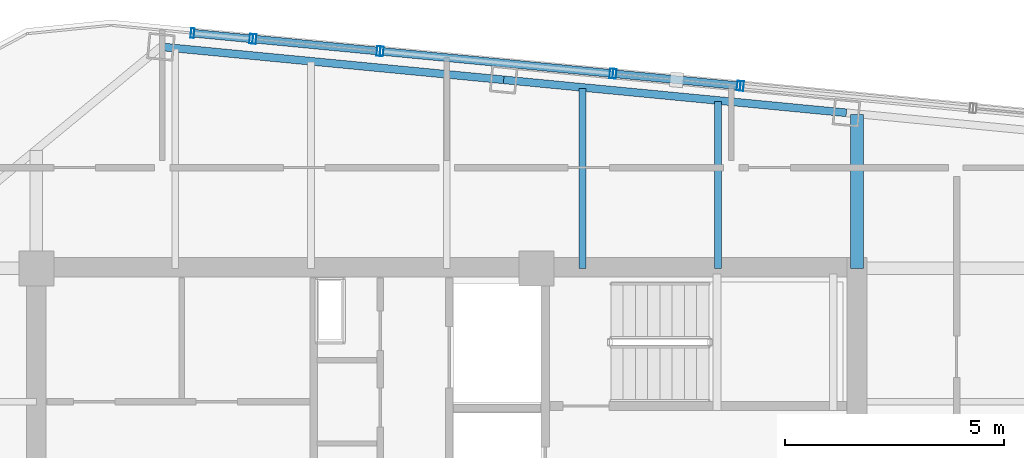
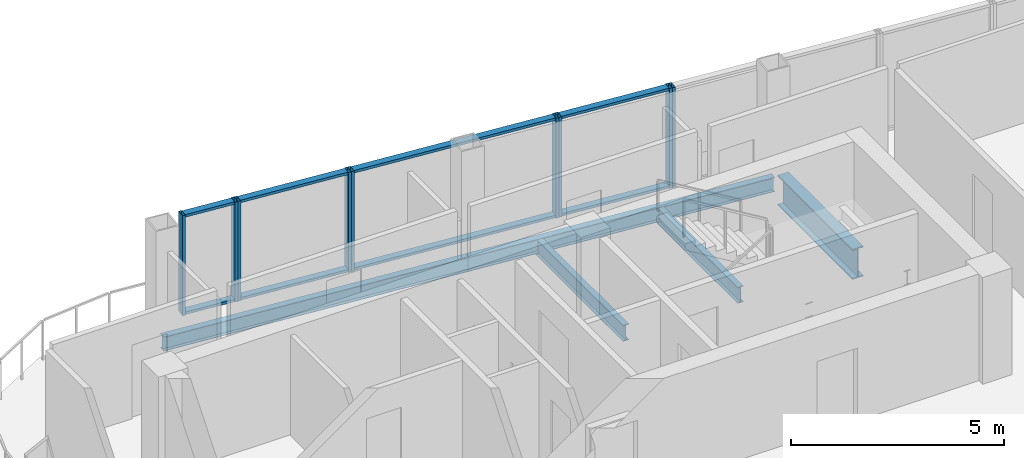
# One storey, part 14 of 23: 17 members, 5 beams, 5 elements without a shape of their own.
"""IFC4 building model written with IfcOpenShell, lengths in metres."""

from ifc_helpers import new_model, si_unit, direction, frame, origin, origin_2d, place, context, subcontext, project, spatial, hollow_rectangle, i_section, extrude, material, layer, layer_set, material_profile, profile_set, type_object, element, aggregate, save


model = new_model("IFC4")

# Units and contexts
model_context = context("Model", 3, precision=1e-05, world=origin(), true_north=direction((0.0, 1.0)))
body_context = subcontext(model_context, "Body", "Model", "MODEL_VIEW")
ifc_project = project(units=[si_unit("LENGTHUNIT", "METRE"), si_unit("AREAUNIT", "SQUARE_METRE"), si_unit("VOLUMEUNIT", "CUBIC_METRE"), si_unit("PLANEANGLEUNIT", "RADIAN"), si_unit("MASSUNIT", "GRAM", prefix="KILO")], contexts=[model_context])

# Site, building, storey
site_placement = place(None, origin())
site = spatial("IfcSite", under=ifc_project, at=site_placement, CompositionType="ELEMENT")
building_placement = place(site_placement, origin())
building = spatial("IfcBuilding", under=site, at=building_placement, Name="Qhalaya Broadcast Tower", CompositionType="ELEMENT")
storey_placement = place(building_placement, frame((0.0, 0.0, 261.14990234375)))
storey = spatial("IfcBuildingStorey", under=building, at=storey_placement, Name="L77", CompositionType="ELEMENT", Elevation=261.14990234375)

# Beams
ifc_material_1 = material(Name="Structural Steel ASTM A992 Grade 50", Category="steel")
ifc_material_profile_1 = material_profile(ifc_material_1, i_section(OverallWidth=0.154052734375, OverallDepth=0.458984375, WebThickness=0.009033203125, FlangeThickness=0.015380859375, at=origin_2d()), Name="W18X46")
ifc_profile_set_1 = profile_set([ifc_material_profile_1], Name="Structural Steel ASTM A992 Grade 50")
beam_type_1 = type_object("IfcBeamType", Name="Composite Floor Joist J04", PredefinedType="JOIST", material=ifc_profile_set_1)
beam_1_placement = place(storey_placement, frame((3.10009765625, 9.949951171875, -0.41943359375), z_axis=(0.0, 1.0, 0.0), x_axis=(-1.0, 0.0, 0.0)))
element("IfcBeam", 1, at=beam_1_placement, inside=storey, type_object=beam_type_1, Name="L77 J04 L77-JNN4-1", PredefinedType="JOIST", context=body_context, shape_type="SweptSolid", body=[
    extrude(i_section(OverallWidth=0.154052734375, OverallDepth=0.458984375, WebThickness=0.009033203125, FlangeThickness=0.015380859375, at=origin_2d()), origin(), (0.0, 0.0, 1.0), 4.11328125),
])
beam_2_placement = place(storey_placement, frame((6.199951171875, 9.949951171875, -0.41943359375), z_axis=(0.0, 1.0, 0.0), x_axis=(-1.0, 0.0, 0.0)))
element("IfcBeam", 2, at=beam_2_placement, inside=storey, type_object=beam_type_1, Name="L77 J04 L77-JNN5-1", PredefinedType="JOIST", context=body_context, shape_type="SweptSolid", body=[
    extrude(i_section(OverallWidth=0.154052734375, OverallDepth=0.458984375, WebThickness=0.009033203125, FlangeThickness=0.015380859375, at=origin_2d()), origin(), (0.0, 0.0, 1.0), 3.814697265625),
])

# Curtain wall, member
ifc_material_2 = material(Name="Fired Architectural Terracotta", Category="masonry")
ifc_layer_1 = layer(ifc_material_2, 0.219970703125, Name="Fired Architectural Terracotta")
ifc_layer_set_1 = layer_set([ifc_layer_1], Name="Fired Architectural Terracotta")
curtain_wall_type_1 = type_object("IfcCurtainWallType", Name="Block-Cap Unitised Terracotta Spandrel Wall CW-07", PredefinedType="NOTDEFINED", material=ifc_layer_set_1)
curtain_wall_1_placement = place(storey_placement, origin())
curtain_wall_1 = element("IfcCurtainWall", 3, at=curtain_wall_1_placement, inside=storey, type_object=curtain_wall_type_1, Name="L77 Unitised Curtain Wall L77-CW-N3", PredefinedType="NOTDEFINED")
ifc_material_3 = material(Name="Anodised Aluminium 6063-T6", Category="aluminium")
ifc_material_profile_2 = material_profile(ifc_material_3, hollow_rectangle(XDim=0.074951171875, YDim=0.219970703125, WallThickness=0.00390625, at=origin_2d()), Name="ALU-MUL 75x220x4")
ifc_profile_set_2 = profile_set([ifc_material_profile_2], Name="Anodised Aluminium 6063-T6")
member_type_1 = type_object("IfcMemberType", Name="Unitised Curtain-Wall Mullion M01", PredefinedType="MULLION", material=ifc_profile_set_2)
member_1_placement = place(storey_placement, frame((6.746337890625, 14.114013671875, 0.0), z_axis=(0.0, 0.0, 1.0), x_axis=(-0.995396263968, 0.095845071223, 0.0)))
member_1 = element("IfcMember", 4, at=member_1_placement, type_object=member_type_1, Name="CW-07 mullion 2", PredefinedType="MULLION", context=body_context, shape_type="SweptSolid", body=[
    extrude(hollow_rectangle(XDim=0.074951171875, YDim=0.219970703125, WallThickness=0.00390625, at=origin_2d()), origin(), (0.0, 0.0, 1.0), 2.860107421875),
])
aggregate(curtain_wall_1, [member_1])

# Curtain wall, members
ifc_material_4 = material(Name="Solar-Control Low-E Triple Glazing", Category="glass")
ifc_layer_2 = layer(ifc_material_4, 0.219970703125, Name="Solar-Control Low-E Triple Glazing")
ifc_layer_set_2 = layer_set([ifc_layer_2], Name="Solar-Control Low-E Triple Glazing")
curtain_wall_type_2 = type_object("IfcCurtainWallType", Name="High-Altitude Upper-Shaft Triple Low-E Curtain Wall CW-04", PredefinedType="NOTDEFINED", material=ifc_layer_set_2)
curtain_wall_2_placement = place(storey_placement, origin())
curtain_wall_2 = element("IfcCurtainWall", 5, at=curtain_wall_2_placement, inside=storey, type_object=curtain_wall_type_2, Name="L77 Unitised Curtain Wall L77-CW-N4", PredefinedType="NOTDEFINED")
member_2_placement = place(storey_placement, frame((6.671630859375, 14.12109375, 0.0), z_axis=(0.0, 0.0, 1.0), x_axis=(-0.995397805992, 0.095829055234, 0.0)))
member_2 = element("IfcMember", 6, at=member_2_placement, type_object=member_type_1, Name="CW-04 mullion 1", PredefinedType="MULLION", context=body_context, shape_type="SweptSolid", body=[
    extrude(hollow_rectangle(XDim=0.074951171875, YDim=0.219970703125, WallThickness=0.00390625, at=origin_2d()), origin(), (0.0, 0.0, 1.0), 2.860107421875),
])
member_3_placement = place(storey_placement, frame((3.8359375, 14.394287109375, 0.0), z_axis=(0.0, 0.0, 1.0), x_axis=(-0.995397805992, 0.095829055234, 0.0)))
member_3 = element("IfcMember", 7, at=member_3_placement, type_object=member_type_1, Name="CW-04 mullion 2", PredefinedType="MULLION", context=body_context, shape_type="SweptSolid", body=[
    extrude(hollow_rectangle(XDim=0.074951171875, YDim=0.219970703125, WallThickness=0.00390625, at=origin_2d()), origin(), (0.0, 0.0, 1.0), 2.860107421875),
])

curtain_wall_3_placement = place(storey_placement, origin())
curtain_wall_3 = element("IfcCurtainWall", 8, at=curtain_wall_3_placement, inside=storey, type_object=curtain_wall_type_1, Name="L77 Unitised Curtain Wall L77-CW-N5", PredefinedType="NOTDEFINED")
member_4_placement = place(storey_placement, frame((3.76123046875, 14.4013671875, 0.0), z_axis=(0.0, 0.0, 1.0), x_axis=(-0.995396263968, 0.095845071223, 0.0)))
member_4 = element("IfcMember", 9, at=member_4_placement, type_object=member_type_1, Name="CW-07 mullion 1", PredefinedType="MULLION", context=body_context, shape_type="SweptSolid", body=[
    extrude(hollow_rectangle(XDim=0.074951171875, YDim=0.219970703125, WallThickness=0.00390625, at=origin_2d()), origin(), (0.0, 0.0, 1.0), 2.860107421875),
])
member_5_placement = place(storey_placement, frame((-1.482666015625, 14.90625, 0.0), z_axis=(0.0, 0.0, 1.0), x_axis=(-0.995396263968, 0.095845071223, 0.0)))
member_5 = element("IfcMember", 10, at=member_5_placement, type_object=member_type_1, Name="CW-07 mullion 2", PredefinedType="MULLION", context=body_context, shape_type="SweptSolid", body=[
    extrude(hollow_rectangle(XDim=0.074951171875, YDim=0.219970703125, WallThickness=0.00390625, at=origin_2d()), origin(), (0.0, 0.0, 1.0), 2.860107421875),
])

curtain_wall_4_placement = place(storey_placement, origin())
curtain_wall_4 = element("IfcCurtainWall", 11, at=curtain_wall_4_placement, inside=storey, type_object=curtain_wall_type_2, Name="L77 Unitised Curtain Wall L77-CW-N6", PredefinedType="NOTDEFINED")
member_6_placement = place(storey_placement, frame((-1.55712890625, 14.91357421875, 0.0), z_axis=(0.0, 0.0, 1.0), x_axis=(-0.995394978082, 0.095858424822, 0.0)))
member_6 = element("IfcMember", 12, at=member_6_placement, type_object=member_type_1, Name="CW-04 mullion 1", PredefinedType="MULLION", context=body_context, shape_type="SweptSolid", body=[
    extrude(hollow_rectangle(XDim=0.074951171875, YDim=0.219970703125, WallThickness=0.00390625, at=origin_2d()), origin(), (0.0, 0.0, 1.0), 2.860107421875),
])
member_7_placement = place(storey_placement, frame((-4.39208984375, 15.1865234375, 0.0), z_axis=(0.0, 0.0, 1.0), x_axis=(-0.995394978082, 0.095858424822, 0.0)))
member_7 = element("IfcMember", 13, at=member_7_placement, type_object=member_type_1, Name="CW-04 mullion 2", PredefinedType="MULLION", context=body_context, shape_type="SweptSolid", body=[
    extrude(hollow_rectangle(XDim=0.074951171875, YDim=0.219970703125, WallThickness=0.00390625, at=origin_2d()), origin(), (0.0, 0.0, 1.0), 2.860107421875),
])

curtain_wall_5_placement = place(storey_placement, origin())
curtain_wall_5 = element("IfcCurtainWall", 14, at=curtain_wall_5_placement, inside=storey, type_object=curtain_wall_type_1, Name="L77 Unitised Curtain Wall L77-CW-N7", PredefinedType="NOTDEFINED")
member_8_placement = place(storey_placement, frame((-4.466796875, 15.193603515625, 0.0), z_axis=(0.0, 0.0, 1.0), x_axis=(-0.995395360914, 0.095854449411, 0.0)))
member_8 = element("IfcMember", 15, at=member_8_placement, type_object=member_type_1, Name="CW-07 mullion 1", PredefinedType="MULLION", context=body_context, shape_type="SweptSolid", body=[
    extrude(hollow_rectangle(XDim=0.074951171875, YDim=0.219970703125, WallThickness=0.00390625, at=origin_2d()), origin(), (0.0, 0.0, 1.0), 2.860107421875),
])
member_9_placement = place(storey_placement, frame((-5.8076171875, 15.32275390625, 0.0), z_axis=(0.0, 0.0, 1.0), x_axis=(-0.995395360914, 0.095854449411, 0.0)))
member_9 = element("IfcMember", 16, at=member_9_placement, type_object=member_type_1, Name="CW-07 mullion 2", PredefinedType="MULLION", context=body_context, shape_type="SweptSolid", body=[
    extrude(hollow_rectangle(XDim=0.074951171875, YDim=0.219970703125, WallThickness=0.00390625, at=origin_2d()), origin(), (0.0, 0.0, 1.0), 2.860107421875),
])

# Member
ifc_material_profile_3 = material_profile(ifc_material_3, hollow_rectangle(XDim=0.074951171875, YDim=0.179931640625, WallThickness=0.00390625, at=origin_2d()), Name="ALU-TRN 75x180x4")
ifc_profile_set_3 = profile_set([ifc_material_profile_3], Name="Anodised Aluminium 6063-T6")
member_type_2 = type_object("IfcMemberType", Name="Unitised Curtain-Wall Transom T01", PredefinedType="USERDEFINED", material=ifc_profile_set_3)
member_10_placement = place(storey_placement, frame((6.63427734375, 14.124755859375, 0.03759765625), z_axis=(-0.995396442999, 0.095843211886, 0.0), x_axis=(0.0, 0.0, 1.0)))
member_10 = element("IfcMember", 17, at=member_10_placement, type_object=member_type_2, Name="CW-04 transom 1.1", ObjectType="TRANSOM", PredefinedType="USERDEFINED", context=body_context, shape_type="SweptSolid", body=[
    extrude(hollow_rectangle(XDim=0.074951171875, YDim=0.179931640625, WallThickness=0.00390625, at=origin_2d()), origin(), (0.0, 0.0, 1.0), 2.77392578125),
])

member_11_placement = place(storey_placement, frame((6.63427734375, 14.124755859375, 2.822509765625), z_axis=(-0.995396442999, 0.095843211886, 0.0), x_axis=(0.0, 0.0, 1.0)))
member_11 = element("IfcMember", 18, at=member_11_placement, type_object=member_type_2, Name="CW-04 transom 1.2", ObjectType="TRANSOM", PredefinedType="USERDEFINED", context=body_context, shape_type="SweptSolid", body=[
    extrude(hollow_rectangle(XDim=0.074951171875, YDim=0.179931640625, WallThickness=0.00390625, at=origin_2d()), origin(), (0.0, 0.0, 1.0), 2.77392578125),
])

aggregate(curtain_wall_2, [member_2, member_3, member_10, member_11])

member_12_placement = place(storey_placement, frame((3.723876953125, 14.405029296875, 0.03759765625), z_axis=(-0.99539497839, 0.095858421619, 0.0), x_axis=(0.0, 0.0, 1.0)))
member_12 = element("IfcMember", 19, at=member_12_placement, type_object=member_type_2, Name="CW-07 transom 1.1", ObjectType="TRANSOM", PredefinedType="USERDEFINED", context=body_context, shape_type="SweptSolid", body=[
    extrude(hollow_rectangle(XDim=0.074951171875, YDim=0.179931640625, WallThickness=0.00390625, at=origin_2d()), origin(), (0.0, 0.0, 1.0), 5.193115234375),
])

member_13_placement = place(storey_placement, frame((3.723876953125, 14.405029296875, 2.822509765625), z_axis=(-0.99539497839, 0.095858421619, 0.0), x_axis=(0.0, 0.0, 1.0)))
member_13 = element("IfcMember", 20, at=member_13_placement, type_object=member_type_2, Name="CW-07 transom 1.2", ObjectType="TRANSOM", PredefinedType="USERDEFINED", context=body_context, shape_type="SweptSolid", body=[
    extrude(hollow_rectangle(XDim=0.074951171875, YDim=0.179931640625, WallThickness=0.00390625, at=origin_2d()), origin(), (0.0, 0.0, 1.0), 5.193115234375),
])

aggregate(curtain_wall_3, [member_4, member_5, member_12, member_13])

member_14_placement = place(storey_placement, frame((-1.594482421875, 14.9169921875, 0.03759765625), z_axis=(-0.995393207476, 0.095876809034, 0.0), x_axis=(0.0, 0.0, 1.0)))
member_14 = element("IfcMember", 21, at=member_14_placement, type_object=member_type_2, Name="CW-04 transom 1.1", ObjectType="TRANSOM", PredefinedType="USERDEFINED", context=body_context, shape_type="SweptSolid", body=[
    extrude(hollow_rectangle(XDim=0.074951171875, YDim=0.179931640625, WallThickness=0.00390625, at=origin_2d()), origin(), (0.0, 0.0, 1.0), 2.77294921875),
])

member_15_placement = place(storey_placement, frame((-1.594482421875, 14.9169921875, 2.822509765625), z_axis=(-0.995393207476, 0.095876809034, 0.0), x_axis=(0.0, 0.0, 1.0)))
member_15 = element("IfcMember", 22, at=member_15_placement, type_object=member_type_2, Name="CW-04 transom 1.2", ObjectType="TRANSOM", PredefinedType="USERDEFINED", context=body_context, shape_type="SweptSolid", body=[
    extrude(hollow_rectangle(XDim=0.074951171875, YDim=0.179931640625, WallThickness=0.00390625, at=origin_2d()), origin(), (0.0, 0.0, 1.0), 2.77294921875),
])

aggregate(curtain_wall_4, [member_6, member_7, member_14, member_15])

member_16_placement = place(storey_placement, frame((-4.504150390625, 15.197265625, 0.03759765625), z_axis=(-0.995402696901, 0.095778238672, 0.0), x_axis=(0.0, 0.0, 1.0)))
member_16 = element("IfcMember", 23, at=member_16_placement, type_object=member_type_2, Name="CW-07 transom 1.1", ObjectType="TRANSOM", PredefinedType="USERDEFINED", context=body_context, shape_type="SweptSolid", body=[
    extrude(hollow_rectangle(XDim=0.074951171875, YDim=0.179931640625, WallThickness=0.00390625, at=origin_2d()), origin(), (0.0, 0.0, 1.0), 1.27197265625),
])

member_17_placement = place(storey_placement, frame((-4.504150390625, 15.197265625, 2.822509765625), z_axis=(-0.995402696901, 0.095778238672, 0.0), x_axis=(0.0, 0.0, 1.0)))
member_17 = element("IfcMember", 24, at=member_17_placement, type_object=member_type_2, Name="CW-07 transom 1.2", ObjectType="TRANSOM", PredefinedType="USERDEFINED", context=body_context, shape_type="SweptSolid", body=[
    extrude(hollow_rectangle(XDim=0.074951171875, YDim=0.179931640625, WallThickness=0.00390625, at=origin_2d()), origin(), (0.0, 0.0, 1.0), 1.27197265625),
])

aggregate(curtain_wall_5, [member_8, member_9, member_16, member_17])

# Beams
ifc_material_profile_4 = material_profile(ifc_material_1, i_section(OverallWidth=0.2919921875, OverallDepth=0.85888671875, WebThickness=0.01708984375, FlangeThickness=0.031005859375, at=origin_2d()), Name="W33X169")
ifc_profile_set_4 = profile_set([ifc_material_profile_4], Name="Structural Steel ASTM A992 Grade 50")
beam_type_2 = type_object("IfcBeamType", Name="Upper Block Primary Girder PG4", PredefinedType="USERDEFINED", material=ifc_profile_set_4)
beam_3_placement = place(storey_placement, frame((9.375, 9.949951171875, -0.619384765625), z_axis=(0.0, 1.0, 0.0), x_axis=(-1.0, 0.0, 0.0)))
element("IfcBeam", 25, at=beam_3_placement, inside=storey, type_object=beam_type_2, Name="L77 PG4 L77-PGXN2-1", ObjectType="GIRDER", PredefinedType="USERDEFINED", context=body_context, shape_type="SweptSolid", body=[
    extrude(i_section(OverallWidth=0.2919921875, OverallDepth=0.85888671875, WebThickness=0.01708984375, FlangeThickness=0.031005859375, at=origin_2d()), origin(), (0.0, 0.0, 1.0), 3.509033203125),
])
ifc_material_profile_5 = material_profile(ifc_material_1, i_section(OverallWidth=0.177978515625, OverallDepth=0.406005859375, WebThickness=0.0078125, FlangeThickness=0.0126953125, at=origin_2d()), Name="W16X40")
ifc_profile_set_5 = profile_set([ifc_material_profile_5], Name="Structural Steel ASTM A992 Grade 50")
beam_type_3 = type_object("IfcBeamType", Name="Upper Perimeter Spandrel Beam SP2", PredefinedType="SPANDREL", material=ifc_profile_set_5)
beam_4_placement = place(storey_placement, frame((9.132568359375, 13.50244140625, -0.392822265625), z_axis=(-0.995397308407, 0.095834223619, 0.0), x_axis=(-0.095834223619, -0.995397308407, 0.0)))
element("IfcBeam", 26, at=beam_4_placement, inside=storey, type_object=beam_type_3, Name="L77 SP2 L77-SPR-10", PredefinedType="SPANDREL", context=body_context, shape_type="SweptSolid", body=[
    extrude(i_section(OverallWidth=0.177978515625, OverallDepth=0.406005859375, WebThickness=0.0078125, FlangeThickness=0.0126953125, at=origin_2d()), origin(), (0.0, 0.0, 1.0), 7.86669921875),
])
beam_5_placement = place(storey_placement, frame((1.302001953125, 14.25634765625, -0.392822265625), z_axis=(-0.995394062251, 0.095867934346, 0.0), x_axis=(-0.095867934346, -0.995394062251, 0.0)))
element("IfcBeam", 27, at=beam_5_placement, inside=storey, type_object=beam_type_3, Name="L77 SP2 L77-SPR-11", PredefinedType="SPANDREL", context=body_context, shape_type="SweptSolid", body=[
    extrude(i_section(OverallWidth=0.177978515625, OverallDepth=0.406005859375, WebThickness=0.0078125, FlangeThickness=0.0126953125, at=origin_2d()), origin(), (0.0, 0.0, 1.0), 7.866455078125),
])

save(model, "model.ifc")
